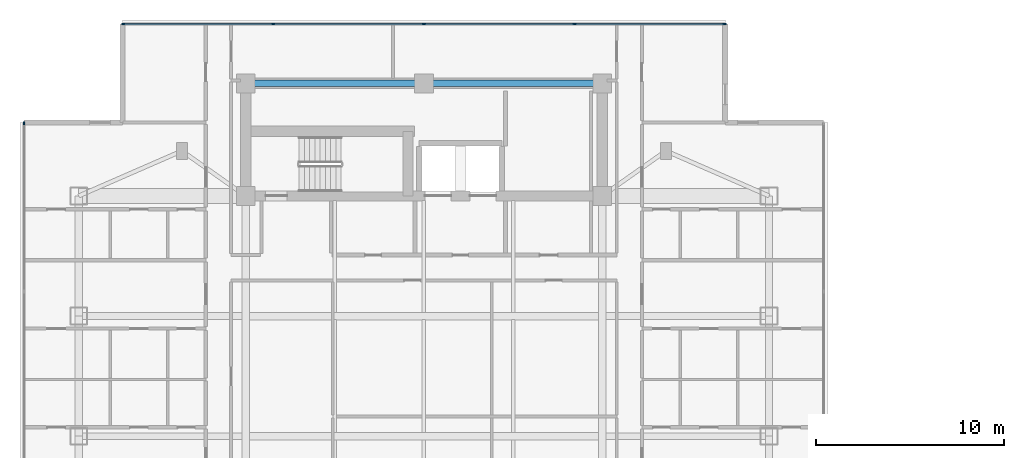
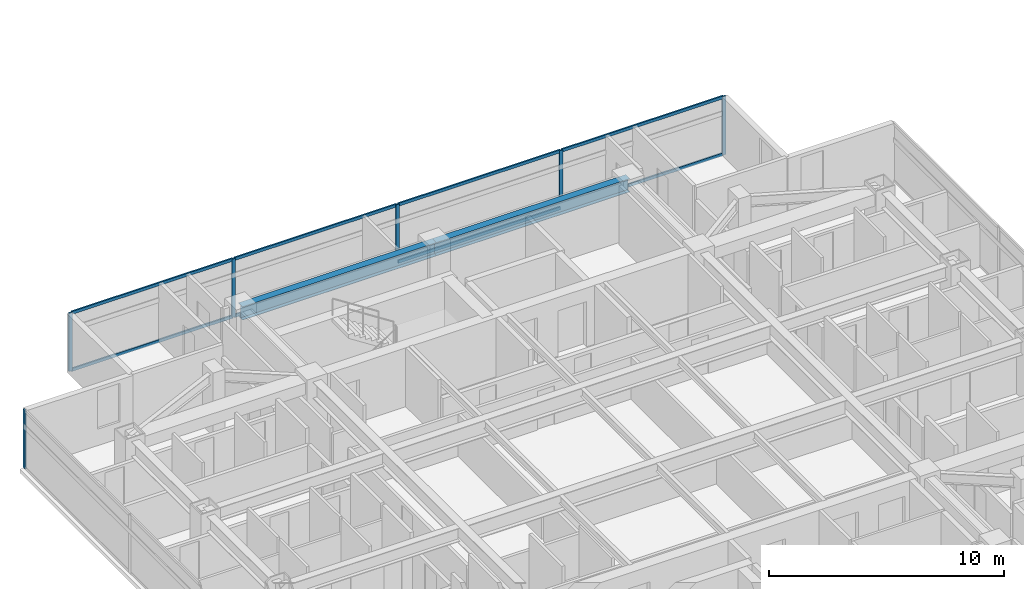
# One storey, part 6 of 25: 14 members, 2 beams, 2 elements without a shape of their own.
"""IFC4 building model written with IfcOpenShell, lengths in metres."""

from ifc_helpers import new_model, si_unit, direction, frame, origin, origin_2d, place, context, subcontext, project, spatial, rectangle, i_section, extrude, material, material_profile, profile_set, type_object, element, aggregate, save


model = new_model("IFC4")

# Units and contexts
model_context = context("Model", 3, precision=1e-05, world=origin(), true_north=direction((0.0, 1.0)))
body_context = subcontext(model_context, "Body", "Model", "MODEL_VIEW")
ifc_project = project(units=[si_unit("LENGTHUNIT", "METRE"), si_unit("AREAUNIT", "SQUARE_METRE"), si_unit("VOLUMEUNIT", "CUBIC_METRE"), si_unit("PLANEANGLEUNIT", "RADIAN"), si_unit("MASSUNIT", "GRAM", prefix="KILO")], contexts=[model_context])

# Site, building, storey
site_placement = place(None, origin())
site = spatial("IfcSite", under=ifc_project, at=site_placement, CompositionType="ELEMENT")
building_placement = place(site_placement, origin())
building = spatial("IfcBuilding", under=site, at=building_placement, Name="Mirazonda Arch Towers", CompositionType="ELEMENT")
storey_placement = place(building_placement, frame((0.0, 0.0, 173.89990234375)))
storey = spatial("IfcBuildingStorey", under=building, at=storey_placement, Name="L49", CompositionType="ELEMENT", Elevation=173.89990234375)

# Beams
ifc_material_1 = material(Name="Steel ASTM A992 Grade 50", Category="steel")
ifc_material_profile_1 = material_profile(ifc_material_1, i_section(OverallWidth=0.35498046875, OverallDepth=0.696044921875, WebThickness=0.015380859375, FlangeThickness=0.02490234375, at=origin_2d()), Name="W27X146")
ifc_profile_set_1 = profile_set([ifc_material_profile_1], Name="Steel ASTM A992 Grade 50")
beam_type = type_object("IfcBeamType", Name="BM-INT-W27X146", PredefinedType="BEAM", material=ifc_profile_set_1)
for number, where, z_axis, x_axis, name in (
    (1, (11.0, 43.60009765625, 2.7021484375), (1.0, 0.0, 0.0), (0.0, 1.0, 0.0), "L49 Floor Beam BM-T1-L49-CN1"),
    (2, (20.5, 43.60009765625, 2.7021484375), (1.0, 0.0, 0.0), (0.0, 1.0, 0.0), "L49 Floor Beam BM-T1-L49-CN2"),
):
    element("IfcBeam", number, at=place(storey_placement, frame(where, z_axis=z_axis, x_axis=x_axis)), inside=storey, type_object=beam_type, Name=name, PredefinedType="BEAM", context=body_context, shape_type="SweptSolid", body=[
        extrude(i_section(OverallWidth=0.35498046875, OverallDepth=0.696044921875, WebThickness=0.015380859375, FlangeThickness=0.02490234375, at=origin_2d()), origin(), (0.0, 0.0, 1.0), 9.5),
    ])

# Curtain wall, members
ifc_material_2 = material(Name="Anodised Aluminium and Low-E Glass", Category="aluminium")
curtain_wall_type = type_object("IfcCurtainWallType", Name="CW-RES-UNIT", PredefinedType="NOTDEFINED", material=ifc_material_2)
curtain_wall_1_placement = place(storey_placement, origin())
curtain_wall_1 = element("IfcCurtainWall", 3, at=curtain_wall_1_placement, inside=storey, type_object=curtain_wall_type, Name="L49 T1 N Facade CW-L49-T1-N", PredefinedType="NOTDEFINED")
ifc_material_3 = material(Name="Anodised Aluminium Alloy", Category="aluminium")
ifc_material_profile_2 = material_profile(ifc_material_3, rectangle(XDim=0.074951171875, YDim=0.175048828125, at=origin_2d()), Name="ALU-MULL-75x175")
ifc_profile_set_2 = profile_set([ifc_material_profile_2], Name="Anodised Aluminium Alloy")
member_type_1 = type_object("IfcMemberType", Name="MULL-CW-RES-UNIT", PredefinedType="MULLION", material=ifc_profile_set_2)
member_1_placement = place(storey_placement, frame((4.472412109375, 46.758056640625, 0.0), z_axis=(0.0, 0.0, 1.0), x_axis=(0.0, 1.0, 0.0)))
member_1 = element("IfcMember", 4, at=member_1_placement, type_object=member_type_1, Name="CW-104 mullion 1", PredefinedType="MULLION", context=body_context, shape_type="SweptSolid", body=[
    extrude(rectangle(XDim=0.074951171875, YDim=0.175048828125, at=origin_2d()), origin(), (0.0, 0.0, 1.0), 3.030029296875),
])
member_2_placement = place(storey_placement, frame((12.467529296875, 46.758056640625, 0.0), z_axis=(0.0, 0.0, 1.0), x_axis=(0.0, 1.0, 0.0)))
member_2 = element("IfcMember", 5, at=member_2_placement, type_object=member_type_1, Name="CW-104 mullion 2", PredefinedType="MULLION", context=body_context, shape_type="SweptSolid", body=[
    extrude(rectangle(XDim=0.074951171875, YDim=0.175048828125, at=origin_2d()), origin(), (0.0, 0.0, 1.0), 3.030029296875),
])
member_3_placement = place(storey_placement, frame((20.5, 46.758056640625, 0.0), z_axis=(0.0, 0.0, 1.0), x_axis=(0.0, 1.0, 0.0)))
member_3 = element("IfcMember", 6, at=member_3_placement, type_object=member_type_1, Name="CW-104 mullion 3", PredefinedType="MULLION", context=body_context, shape_type="SweptSolid", body=[
    extrude(rectangle(XDim=0.074951171875, YDim=0.175048828125, at=origin_2d()), origin(), (0.0, 0.0, 1.0), 3.030029296875),
])
member_4_placement = place(storey_placement, frame((28.532470703125, 46.758056640625, 0.0), z_axis=(0.0, 0.0, 1.0), x_axis=(0.0, 1.0, 0.0)))
member_4 = element("IfcMember", 7, at=member_4_placement, type_object=member_type_1, Name="CW-104 mullion 4", PredefinedType="MULLION", context=body_context, shape_type="SweptSolid", body=[
    extrude(rectangle(XDim=0.074951171875, YDim=0.175048828125, at=origin_2d()), origin(), (0.0, 0.0, 1.0), 3.030029296875),
])
member_5_placement = place(storey_placement, frame((36.527587890625, 46.758056640625, 0.0), z_axis=(0.0, 0.0, 1.0), x_axis=(0.0, 1.0, 0.0)))
member_5 = element("IfcMember", 8, at=member_5_placement, type_object=member_type_1, Name="CW-104 mullion 5", PredefinedType="MULLION", context=body_context, shape_type="SweptSolid", body=[
    extrude(rectangle(XDim=0.074951171875, YDim=0.175048828125, at=origin_2d()), origin(), (0.0, 0.0, 1.0), 3.030029296875),
])

# Curtain wall, member
curtain_wall_2_placement = place(storey_placement, origin())
curtain_wall_2 = element("IfcCurtainWall", 9, at=curtain_wall_2_placement, inside=storey, type_object=curtain_wall_type, Name="L49 T1 W Facade CW-L49-T1-W", PredefinedType="NOTDEFINED")
member_6_placement = place(storey_placement, frame((-0.81005859375, 41.4755859375, 0.0), z_axis=(0.0, 0.0, 1.0), x_axis=(1.0, 0.0, 0.0)))
member_6 = element("IfcMember", 10, at=member_6_placement, type_object=member_type_1, Name="CW-104 mullion 1", PredefinedType="MULLION", context=body_context, shape_type="SweptSolid", body=[
    extrude(rectangle(XDim=0.074951171875, YDim=0.175048828125, at=origin_2d()), origin(), (0.0, 0.0, 1.0), 3.030029296875),
])
aggregate(curtain_wall_2, [member_6])

# Member
ifc_material_profile_3 = material_profile(ifc_material_3, rectangle(XDim=0.074951171875, YDim=0.155029296875, at=origin_2d()), Name="ALU-TRAN-75x155")
ifc_profile_set_3 = profile_set([ifc_material_profile_3], Name="Anodised Aluminium Alloy")
member_type_2 = type_object("IfcMemberType", Name="TRAN-CW-RES-UNIT", PredefinedType="USERDEFINED", material=ifc_profile_set_3)
member_7_placement = place(storey_placement, frame((4.510009765625, 46.758056640625, 0.03759765625), z_axis=(1.0, 0.0, 0.0), x_axis=(0.0, 1.0, 0.0)))
member_7 = element("IfcMember", 11, at=member_7_placement, type_object=member_type_2, Name="CW-104 transom 1.1", ObjectType="TRANSOM", PredefinedType="USERDEFINED", context=body_context, shape_type="SweptSolid", body=[
    extrude(rectangle(XDim=0.074951171875, YDim=0.155029296875, at=origin_2d()), origin(), (0.0, 0.0, 1.0), 7.919921875),
])

member_8_placement = place(storey_placement, frame((4.510009765625, 46.758056640625, 2.99267578125), z_axis=(1.0, 0.0, 0.0), x_axis=(0.0, 1.0, 0.0)))
member_8 = element("IfcMember", 12, at=member_8_placement, type_object=member_type_2, Name="CW-104 transom 1.2", ObjectType="TRANSOM", PredefinedType="USERDEFINED", context=body_context, shape_type="SweptSolid", body=[
    extrude(rectangle(XDim=0.074951171875, YDim=0.155029296875, at=origin_2d()), origin(), (0.0, 0.0, 1.0), 7.919921875),
])

member_9_placement = place(storey_placement, frame((12.5048828125, 46.758056640625, 0.03759765625), z_axis=(1.0, 0.0, 0.0), x_axis=(0.0, 1.0, 0.0)))
member_9 = element("IfcMember", 13, at=member_9_placement, type_object=member_type_2, Name="CW-104 transom 2.1", ObjectType="TRANSOM", PredefinedType="USERDEFINED", context=body_context, shape_type="SweptSolid", body=[
    extrude(rectangle(XDim=0.074951171875, YDim=0.155029296875, at=origin_2d()), origin(), (0.0, 0.0, 1.0), 7.95751953125),
])

member_10_placement = place(storey_placement, frame((12.5048828125, 46.758056640625, 2.99267578125), z_axis=(1.0, 0.0, 0.0), x_axis=(0.0, 1.0, 0.0)))
member_10 = element("IfcMember", 14, at=member_10_placement, type_object=member_type_2, Name="CW-104 transom 2.2", ObjectType="TRANSOM", PredefinedType="USERDEFINED", context=body_context, shape_type="SweptSolid", body=[
    extrude(rectangle(XDim=0.074951171875, YDim=0.155029296875, at=origin_2d()), origin(), (0.0, 0.0, 1.0), 7.95751953125),
])

member_11_placement = place(storey_placement, frame((20.53759765625, 46.758056640625, 0.03759765625), z_axis=(1.0, 0.0, 0.0), x_axis=(0.0, 1.0, 0.0)))
member_11 = element("IfcMember", 15, at=member_11_placement, type_object=member_type_2, Name="CW-104 transom 3.1", ObjectType="TRANSOM", PredefinedType="USERDEFINED", context=body_context, shape_type="SweptSolid", body=[
    extrude(rectangle(XDim=0.074951171875, YDim=0.155029296875, at=origin_2d()), origin(), (0.0, 0.0, 1.0), 7.95751953125),
])

member_12_placement = place(storey_placement, frame((20.53759765625, 46.758056640625, 2.99267578125), z_axis=(1.0, 0.0, 0.0), x_axis=(0.0, 1.0, 0.0)))
member_12 = element("IfcMember", 16, at=member_12_placement, type_object=member_type_2, Name="CW-104 transom 3.2", ObjectType="TRANSOM", PredefinedType="USERDEFINED", context=body_context, shape_type="SweptSolid", body=[
    extrude(rectangle(XDim=0.074951171875, YDim=0.155029296875, at=origin_2d()), origin(), (0.0, 0.0, 1.0), 7.95751953125),
])

member_13_placement = place(storey_placement, frame((28.570068359375, 46.758056640625, 0.03759765625), z_axis=(1.0, 0.0, 0.0), x_axis=(0.0, 1.0, 0.0)))
member_13 = element("IfcMember", 17, at=member_13_placement, type_object=member_type_2, Name="CW-104 transom 4.1", ObjectType="TRANSOM", PredefinedType="USERDEFINED", context=body_context, shape_type="SweptSolid", body=[
    extrude(rectangle(XDim=0.074951171875, YDim=0.155029296875, at=origin_2d()), origin(), (0.0, 0.0, 1.0), 7.919921875),
])

member_14_placement = place(storey_placement, frame((28.570068359375, 46.758056640625, 2.99267578125), z_axis=(1.0, 0.0, 0.0), x_axis=(0.0, 1.0, 0.0)))
member_14 = element("IfcMember", 18, at=member_14_placement, type_object=member_type_2, Name="CW-104 transom 4.2", ObjectType="TRANSOM", PredefinedType="USERDEFINED", context=body_context, shape_type="SweptSolid", body=[
    extrude(rectangle(XDim=0.074951171875, YDim=0.155029296875, at=origin_2d()), origin(), (0.0, 0.0, 1.0), 7.919921875),
])

aggregate(curtain_wall_1, [member_1, member_2, member_3, member_4, member_5, member_7, member_8, member_9, member_10, member_11, member_12, member_13, member_14])

save(model, "model.ifc")
